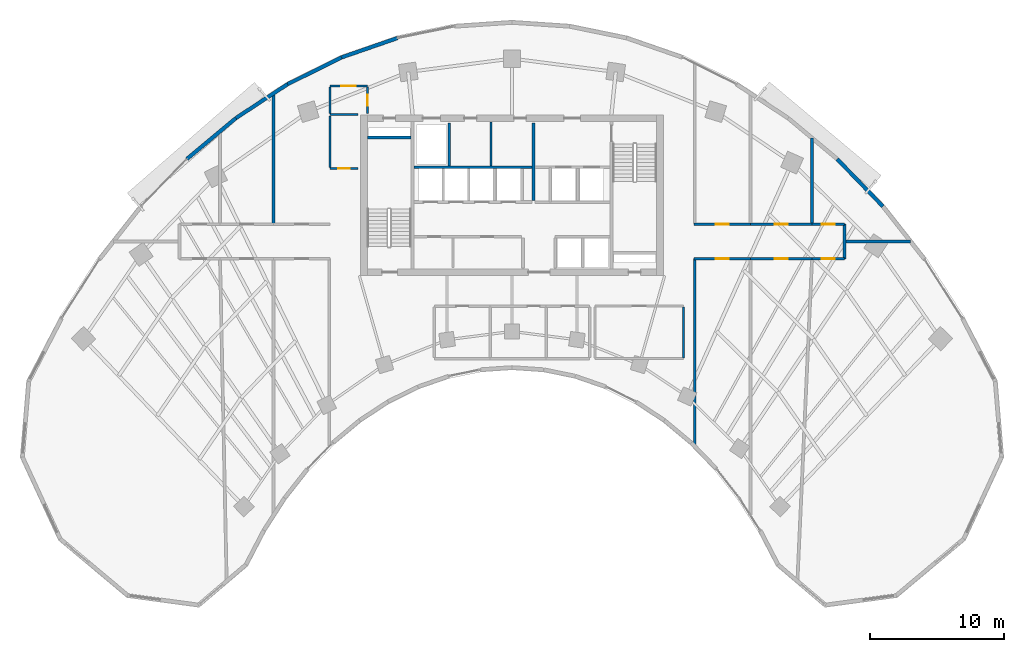
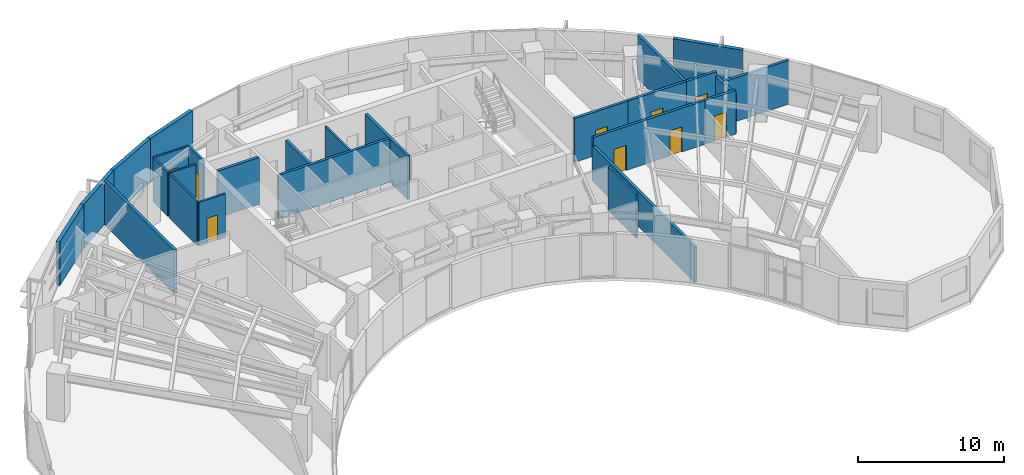
# One storey, part 10 of 14: 28 walls, 9 doors, 9 openings.
"""IFC4 building model written with IfcOpenShell, lengths in metres."""

from ifc_helpers import new_model, si_unit, direction, frame, frame_2d, origin, place, context, subcontext, project, spatial, rectangle, extrude, source, transform, mapped, material, layer, layer_set, type_object, type_shapes, element, fill, save


model = new_model("IFC4")

# Units and contexts
model_context = context("Model", 3, precision=1e-05, world=origin(), true_north=direction((0.0, 1.0)))
body_context = subcontext(model_context, "Body", "Model", "MODEL_VIEW")
ifc_project = project(units=[si_unit("LENGTHUNIT", "METRE"), si_unit("AREAUNIT", "SQUARE_METRE"), si_unit("VOLUMEUNIT", "CUBIC_METRE"), si_unit("PLANEANGLEUNIT", "RADIAN"), si_unit("MASSUNIT", "GRAM", prefix="KILO")], contexts=[model_context])

# Site, building, storey
site_placement = place(None, origin())
site = spatial("IfcSite", under=ifc_project, at=site_placement, CompositionType="ELEMENT")
building_placement = place(site_placement, origin())
building = spatial("IfcBuilding", under=site, at=building_placement, Name="Breltana Convention Tower", CompositionType="ELEMENT")
storey_placement = place(building_placement, frame((0.0, 0.0, 135.0)))
storey = spatial("IfcBuildingStorey", under=building, at=storey_placement, Name="L32", CompositionType="ELEMENT", Elevation=135.0)

# Walls
ifc_material_1 = material(Name="Concrete C50/60", Category="concrete")
ifc_layer_1 = layer(ifc_material_1, 0.39990234375, Name="Concrete C50/60")
ifc_layer_set_1 = layer_set([ifc_layer_1], Name="Concrete C50/60")
wall_type_1 = type_object("IfcWallType", Name="SW-CORE-400", PredefinedType="SHEAR", material=ifc_layer_set_1)
shared_shape_1 = source(origin(), body_context, "Body", "SweptSolid", [
    extrude(rectangle(XDim=3.27001953125, YDim=0.219970703125, at=frame_2d((1.635009765625, 0.0))), origin(), (0.0, 0.0, 1.0), 3.89990234375),
])
wall_1_placement = place(storey_placement, frame((37.199951171875, 70.510009765625, 0.0), z_axis=(0.0, 0.0, 1.0), x_axis=(1.0, 0.0, 0.0)))
element("IfcWall", 1, at=wall_1_placement, inside=storey, type_object=wall_type_1, Name="L32 ST-1 Stairwell North Bearing Wall", PredefinedType="SHEAR", context=body_context, shape_type="MappedRepresentation", body=[
    mapped(shared_shape_1, transform((0.0, 0.0, 0.0), scale=1.0)),
])
ifc_material_2 = material(Name="Limestone Buff Insulated Wall", Category="masonry")
ifc_layer_2 = layer(ifc_material_2, 0.280029296875, Name="Limestone Buff Insulated Wall")
ifc_layer_set_2 = layer_set([ifc_layer_2], Name="Limestone Buff Insulated Wall")
wall_type_2 = type_object("IfcWallType", Name="WL-EXT-NOSE-280", PredefinedType="SOLIDWALL", material=ifc_layer_set_2)
shared_shape_2 = source(origin(), body_context, "Body", "SweptSolid", [
    extrude(rectangle(XDim=4.908447265625, YDim=0.280029296875, at=frame_2d((2.4541015625, 0.0))), origin(), (0.0, 0.0, 1.0), 3.64990234375),
])
wall_2_placement = place(storey_placement, frame((72.275390625, 68.907470703125, 0.0), z_axis=(0.0, 0.0, 1.0), x_axis=(0.694613154328, -0.719383462302, 0.0)))
element("IfcWall", 2, at=wall_2_placement, inside=storey, type_object=wall_type_2, Name="L32 curved limestone nose wall E31", PredefinedType="SOLIDWALL", context=body_context, shape_type="MappedRepresentation", body=[
    mapped(shared_shape_2, transform((0.0, 0.0, 0.0), scale=1.0)),
])
shared_shape_3 = source(origin(), body_context, "Body", "SweptSolid", [
    extrude(rectangle(XDim=4.76220703125, YDim=0.280029296875, at=frame_2d((2.381103515625, 0.0))), origin(), (0.0, 0.0, 1.0), 3.64990234375),
])
wall_3_placement = place(storey_placement, frame((23.724609375, 68.907470703125, 0.0), z_axis=(0.0, 0.0, 1.0), x_axis=(0.767952279762, 0.640507061638, 0.0)))
element("IfcWall", 3, at=wall_3_placement, inside=storey, type_object=wall_type_2, Name="L32 curved limestone nose wall E21", PredefinedType="SOLIDWALL", context=body_context, shape_type="MappedRepresentation", body=[
    mapped(shared_shape_3, transform((0.0, 0.0, 0.0), scale=1.0)),
])
shared_shape_4 = source(origin(), body_context, "Body", "SweptSolid", [
    extrude(rectangle(XDim=4.625732421875, YDim=0.280029296875, at=frame_2d((2.31298828125, 0.0))), origin(), (0.0, 0.0, 1.0), 3.64990234375),
])
wall_4_placement = place(storey_placement, frame((27.3818359375, 71.957763671875, 0.0), z_axis=(0.0, 0.0, 1.0), x_axis=(0.83595938331, 0.548791316855, 0.0)))
element("IfcWall", 4, at=wall_4_placement, inside=storey, type_object=wall_type_2, Name="L32 curved limestone nose wall E22", PredefinedType="SOLIDWALL", context=body_context, shape_type="MappedRepresentation", body=[
    mapped(shared_shape_4, transform((0.0, 0.0, 0.0), scale=1.0)),
])
shared_shape_5 = source(origin(), body_context, "Body", "SweptSolid", [
    extrude(rectangle(XDim=4.408935546875, YDim=0.280029296875, at=frame_2d((2.20458984375, 0.0))), origin(), (0.0, 0.0, 1.0), 3.64990234375),
])
wall_5_placement = place(storey_placement, frame((35.28564453125, 76.497314453125, 0.0), z_axis=(0.0, 0.0, 1.0), x_axis=(0.944879374121, 0.327418643881, 0.0)))
element("IfcWall", 5, at=wall_5_placement, inside=storey, type_object=wall_type_2, Name="L32 curved limestone nose wall E24", PredefinedType="SOLIDWALL", context=body_context, shape_type="MappedRepresentation", body=[
    mapped(shared_shape_5, transform((0.0, 0.0, 0.0), scale=1.0)),
])
shared_shape_6 = source(origin(), body_context, "Body", "SweptSolid", [
    extrude(rectangle(XDim=4.505615234375, YDim=0.280029296875, at=frame_2d((2.2529296875, 0.0))), origin(), (0.0, 0.0, 1.0), 3.64990234375),
])
wall_6_placement = place(storey_placement, frame((31.248779296875, 74.496337890625, 0.0), z_axis=(0.0, 0.0, 1.0), x_axis=(0.89597155075, 0.444111450254, 0.0)))
element("IfcWall", 6, at=wall_6_placement, inside=storey, type_object=wall_type_2, Name="L32 curved limestone nose wall E23", PredefinedType="SOLIDWALL", context=body_context, shape_type="MappedRepresentation", body=[
    mapped(shared_shape_6, transform((0.0, 0.0, 0.0), scale=1.0)),
])
ifc_material_3 = material(Name="Autoclaved Aerated Concrete Block", Category="concrete")
ifc_layer_3 = layer(ifc_material_3, 0.199951171875, Name="Autoclaved Aerated Concrete Block")
ifc_layer_set_3 = layer_set([ifc_layer_3], Name="Autoclaved Aerated Concrete Block")
wall_type_3 = type_object("IfcWallType", Name="WL-SHAFT-200", PredefinedType="SOLIDWALL", material=ifc_layer_set_3)
shared_shape_7 = source(origin(), body_context, "Body", "SweptSolid", [
    extrude(rectangle(XDim=5.800048828125, YDim=0.199951171875, at=frame_2d((2.89990234375, 0.0))), origin(), (0.0, 0.0, 1.0), 3.64990234375),
])
wall_7_placement = place(storey_placement, frame((49.60009765625, 65.800048828125, 0.0), z_axis=(0.0, 0.0, 1.0), x_axis=(0.0, 1.0, 0.0)))
element("IfcWall", 7, at=wall_7_placement, inside=storey, type_object=wall_type_3, Name="L32 interior partition W-L32-FFL-W", PredefinedType="SOLIDWALL", context=body_context, shape_type="MappedRepresentation", body=[
    mapped(shared_shape_7, transform((0.0, 0.0, 0.0), scale=1.0)),
])
shared_shape_8 = source(origin(), body_context, "Body", "SweptSolid", [
    extrude(rectangle(XDim=3.2001953125, YDim=0.199951171875, at=frame_2d((1.60009765625, 0.0))), origin(), (0.0, 0.0, 1.0), 3.64990234375),
])
wall_8_placement = place(storey_placement, frame((43.320068359375, 68.39990234375, 0.0), z_axis=(0.0, 0.0, 1.0), x_axis=(0.0, 1.0, 0.0)))
element("IfcWall", 8, at=wall_8_placement, inside=storey, type_object=wall_type_3, Name="L32 interior partition W-L32-SV-E", PredefinedType="SOLIDWALL", context=body_context, shape_type="MappedRepresentation", body=[
    mapped(shared_shape_8, transform((0.0, 0.0, 0.0), scale=1.0)),
])
shared_shape_9 = source(origin(), body_context, "Body", "SweptSolid", [
    extrude(rectangle(XDim=8.800048828125, YDim=0.199951171875, at=frame_2d((4.39990234375, 0.0))), origin(), (0.0, 0.0, 1.0), 3.64990234375),
])
wall_9_placement = place(storey_placement, frame((40.699951171875, 68.300048828125, 0.0), z_axis=(0.0, 0.0, 1.0), x_axis=(1.0, 0.0, 0.0)))
element("IfcWall", 9, at=wall_9_placement, inside=storey, type_object=wall_type_3, Name="L32 interior partition W-L32-SV-S", PredefinedType="SOLIDWALL", context=body_context, shape_type="MappedRepresentation", body=[
    mapped(shared_shape_9, transform((0.0, 0.0, 0.0), scale=1.0)),
])
ifc_material_4 = material(Name="Gypsum Acoustic Drywall Partition")
ifc_layer_4 = layer(ifc_material_4, 0.14990234375, Name="Gypsum Acoustic Drywall Partition")
ifc_layer_set_4 = layer_set([ifc_layer_4], Name="Gypsum Acoustic Drywall Partition")
wall_type_4 = type_object("IfcWallType", Name="WL-PART-150", PredefinedType="PARTITIONING", material=ifc_layer_set_4)
shared_shape_10 = source(origin(), body_context, "Body", "SweptSolid", [
    extrude(rectangle(XDim=3.78515625, YDim=0.14990234375, at=frame_2d((1.892578125, 0.0))), origin(), (0.0, 0.0, 1.0), 3.64990234375),
])
wall_10_placement = place(storey_placement, frame((60.800048828125, 54.0673828125, 0.0), z_axis=(0.0, 0.0, 1.0), x_axis=(0.0, 1.0, 0.0)))
element("IfcWall", 10, at=wall_10_placement, inside=storey, type_object=wall_type_4, Name="L32 interior partition W-L32-PNT-E", PredefinedType="PARTITIONING", context=body_context, shape_type="MappedRepresentation", body=[
    mapped(shared_shape_10, transform((0.0, 0.0, 0.0), scale=1.0)),
])
shared_shape_11 = source(origin(), body_context, "Body", "SweptSolid", [
    extrude(rectangle(XDim=3.280029296875, YDim=0.14990234375, at=frame_2d((1.64013671875, 0.0))), origin(), (0.0, 0.0, 1.0), 3.64990234375),
])
wall_11_placement = place(storey_placement, frame((46.449951171875, 68.39990234375, 0.0), z_axis=(0.0, 0.0, 1.0), x_axis=(0.0, 1.0, 0.0)))
element("IfcWall", 11, at=wall_11_placement, inside=storey, type_object=wall_type_4, Name="L32 interior partition W-L32-KV-1", PredefinedType="PARTITIONING", context=body_context, shape_type="MappedRepresentation", body=[
    mapped(shared_shape_11, transform((0.0, 0.0, 0.0), scale=1.0)),
])
shared_shape_12 = source(origin(), body_context, "Body", "SweptSolid", [
    extrude(rectangle(XDim=2.10009765625, YDim=0.14990234375, at=frame_2d((1.050048828125, 0.0))), origin(), (0.0, 0.0, 1.0), 3.64990234375),
])
wall_12_placement = place(storey_placement, frame((34.39990234375, 72.219970703125, 0.0), z_axis=(0.0, 0.0, 1.0), x_axis=(1.0, 0.0, 0.0)))
element("IfcWall", 12, at=wall_12_placement, inside=storey, type_object=wall_type_4, Name="L32 interior partition W-L32-CRNW-S", PredefinedType="PARTITIONING", context=body_context, shape_type="MappedRepresentation", body=[
    mapped(shared_shape_12, transform((0.0, 0.0, 0.0), scale=1.0)),
])

# Wall, opening, door
wall_13_placement = place(storey_placement, frame((34.39990234375, 68.199951171875, 0.0), z_axis=(0.0, 0.0, 1.0), x_axis=(1.0, 0.0, 0.0)))
wall_13 = element("IfcWall", 13, at=wall_13_placement, inside=storey, type_object=wall_type_4, Name="L32 interior partition W-L32-CRSW-S", PredefinedType="PARTITIONING", context=body_context, shape_type="MappedRepresentation", body=[
    mapped(shared_shape_12, transform((0.0, 0.0, 0.0), scale=1.0)),
])
opening_1_placement = place(wall_13_placement, frame((0.625, 0.0, 0.0)))
opening_1 = element("IfcOpeningElement", 14, at=opening_1_placement, cuts=wall_13, Name="Opening D-20", PredefinedType="OPENING", context=body_context, shape_type="SweptSolid", body=[
    extrude(rectangle(XDim=0.85009765625, YDim=2.10009765625, at=frame_2d((0.425048828125, 1.050048828125))), frame((0.0, 0.0849609375, 0.0), z_axis=(0.0, -1.0, 0.0), x_axis=(1.0, 0.0, 0.0)), (0.0, 0.0, 1.0), 0.169921875),
])
ifc_material_5 = material(Name="Steel Closet Fire Door", Category="steel")
door_type_1 = type_object("IfcDoorType", Name="DR-FD60-850", OperationType="NOTDEFINED", PredefinedType="DOOR", material=ifc_material_5)
shared_shape_13 = source(origin(), body_context, "Body", "SweptSolid", [
    extrude(rectangle(XDim=0.85009765625, YDim=2.10009765625, at=frame_2d((0.425048828125, 1.050048828125))), frame((0.0, 0.02490234375, 0.0), z_axis=(0.0, -1.0, 0.0), x_axis=(1.0, 0.0, 0.0)), (0.0, 0.0, 1.0), 0.050048828125),
])
type_shapes(door_type_1, [shared_shape_13])
door_1_placement = place(opening_1_placement, origin())
door_1 = element("IfcDoor", 15, at=door_1_placement, inside=storey, type_object=door_type_1, Name="L32 interior door D-L32-CRSW", OperationType="SINGLE_SWING_LEFT", OverallHeight=2.10009765625, OverallWidth=0.85009765625, PredefinedType="DOOR", context=body_context, shape_type="MappedRepresentation", body=[
    mapped(shared_shape_13, transform((0.0, 0.0, 0.0), scale=1.0)),
])
fill(opening_1, door_1)

shared_shape_14 = source(origin(), body_context, "Body", "SweptSolid", [
    extrude(rectangle(XDim=2.800048828125, YDim=0.14990234375, at=frame_2d((1.39990234375, 0.0))), origin(), (0.0, 0.0, 1.0), 3.64990234375),
])
wall_14_placement = place(storey_placement, frame((34.39990234375, 74.35009765625, 0.0), z_axis=(0.0, 0.0, 1.0), x_axis=(1.0, 0.0, 0.0)))
wall_14 = element("IfcWall", 16, at=wall_14_placement, inside=storey, type_object=wall_type_4, Name="L32 interior partition W-L32-CRNW-N", PredefinedType="PARTITIONING", context=body_context, shape_type="MappedRepresentation", body=[
    mapped(shared_shape_14, transform((0.0, 0.0, 0.0), scale=1.0)),
])
opening_2_placement = place(wall_14_placement, frame((0.85009765625, 0.0, 0.0)))
opening_2 = element("IfcOpeningElement", 17, at=opening_2_placement, cuts=wall_14, Name="Opening D-12", PredefinedType="OPENING", context=body_context, shape_type="SweptSolid", body=[
    extrude(rectangle(XDim=1.10009765625, YDim=2.14990234375, at=frame_2d((0.550048828125, 1.074951171875))), frame((0.0, 0.0849609375, 0.0), z_axis=(0.0, -1.0, 0.0), x_axis=(1.0, 0.0, 0.0)), (0.0, 0.0, 1.0), 0.169921875),
])
ifc_material_6 = material(Name="Timber Oak Acoustic Door", Category="wood")
door_type_2 = type_object("IfcDoorType", Name="DR-INT-1100", OperationType="NOTDEFINED", PredefinedType="DOOR", material=ifc_material_6)
shared_shape_15 = source(origin(), body_context, "Body", "SweptSolid", [
    extrude(rectangle(XDim=1.10009765625, YDim=2.14990234375, at=frame_2d((0.550048828125, 1.074951171875))), frame((0.0, 0.02490234375, 0.0), z_axis=(0.0, -1.0, 0.0), x_axis=(1.0, 0.0, 0.0)), (0.0, 0.0, 1.0), 0.050048828125),
])
type_shapes(door_type_2, [shared_shape_15])
door_2_placement = place(opening_2_placement, origin())
door_2 = element("IfcDoor", 18, at=door_2_placement, inside=storey, type_object=door_type_2, Name="L32 interior door D-L32-ZN1", OperationType="SINGLE_SWING_RIGHT", OverallHeight=2.14990234375, OverallWidth=1.10009765625, PredefinedType="DOOR", context=body_context, shape_type="MappedRepresentation", body=[
    mapped(shared_shape_15, transform((0.0, 0.0, 0.0), scale=1.0)),
])
fill(opening_2, door_2)

# Wall
shared_shape_16 = source(origin(), body_context, "Body", "SweptSolid", [
    extrude(rectangle(XDim=1.994873046875, YDim=0.14990234375, at=frame_2d((0.99755859375, 0.0))), origin(), (0.0, 0.0, 1.0), 3.64990234375),
])
wall_15_placement = place(storey_placement, frame((34.39990234375, 72.28759765625, 0.0), z_axis=(0.0, 0.0, 1.0), x_axis=(0.0, 1.0, 0.0)))
element("IfcWall", 19, at=wall_15_placement, inside=storey, type_object=wall_type_4, Name="L32 interior partition W-L32-CRNW-W", PredefinedType="PARTITIONING", context=body_context, shape_type="MappedRepresentation", body=[
    mapped(shared_shape_16, transform((0.0, 0.0, 0.0), scale=1.0)),
])

# Wall, opening, door
shared_shape_17 = source(origin(), body_context, "Body", "SweptSolid", [
    extrude(rectangle(XDim=1.982421875, YDim=0.14990234375, at=frame_2d((0.9912109375, 0.0))), origin(), (0.0, 0.0, 1.0), 3.64990234375),
])
wall_16_placement = place(storey_placement, frame((37.199951171875, 72.300048828125, 0.0), z_axis=(0.0, 0.0, 1.0), x_axis=(0.0, 1.0, 0.0)))
wall_16 = element("IfcWall", 20, at=wall_16_placement, inside=storey, type_object=wall_type_4, Name="L32 interior partition W-L32-CRNW-E", PredefinedType="PARTITIONING", context=body_context, shape_type="MappedRepresentation", body=[
    mapped(shared_shape_17, transform((0.0, 0.0, 0.0), scale=1.0)),
])
opening_3_placement = place(wall_16_placement, frame((0.56640625, 0.0, 0.0)))
opening_3 = element("IfcOpeningElement", 21, at=opening_3_placement, cuts=wall_16, Name="Opening D-20", PredefinedType="OPENING", context=body_context, shape_type="SweptSolid", body=[
    extrude(rectangle(XDim=0.85009765625, YDim=2.10009765625, at=frame_2d((0.425048828125, 1.050048828125))), frame((0.0, 0.0849609375, 0.0), z_axis=(0.0, -1.0, 0.0), x_axis=(1.0, 0.0, 0.0)), (0.0, 0.0, 1.0), 0.169921875),
])
door_3_placement = place(opening_3_placement, origin())
door_3 = element("IfcDoor", 22, at=door_3_placement, inside=storey, type_object=door_type_1, Name="L32 interior door D-L32-CRNW", OperationType="SINGLE_SWING_RIGHT", OverallHeight=2.10009765625, OverallWidth=0.85009765625, PredefinedType="DOOR", context=body_context, shape_type="MappedRepresentation", body=[
    mapped(shared_shape_13, transform((0.0, 0.0, 0.0), scale=1.0)),
])
fill(opening_3, door_3)

# Walls
shared_shape_18 = source(origin(), body_context, "Body", "SweptSolid", [
    extrude(rectangle(XDim=3.844970703125, YDim=0.14990234375, at=frame_2d((1.92236328125, 0.0))), origin(), (0.0, 0.0, 1.0), 3.64990234375),
])
wall_17_placement = place(storey_placement, frame((34.39990234375, 68.267578125, 0.0), z_axis=(0.0, 0.0, 1.0), x_axis=(0.0, 1.0, 0.0)))
element("IfcWall", 23, at=wall_17_placement, inside=storey, type_object=wall_type_4, Name="L32 interior partition W-L32-CRSW-W", PredefinedType="PARTITIONING", context=body_context, shape_type="MappedRepresentation", body=[
    mapped(shared_shape_18, transform((0.0, 0.0, 0.0), scale=1.0)),
])
ifc_material_7 = material(Name="Autoclaved Aerated Masonry Blockwork", Category="masonry")
ifc_layer_5 = layer(ifc_material_7, 0.2099609375, Name="Autoclaved Aerated Masonry Blockwork")
ifc_layer_set_5 = layer_set([ifc_layer_5], Name="Autoclaved Aerated Masonry Blockwork")
wall_type_5 = type_object("IfcWallType", Name="WL-PART-200", PredefinedType="PARTITIONING", material=ifc_layer_set_5)
shared_shape_19 = source(origin(), body_context, "Body", "SweptSolid", [
    extrude(rectangle(XDim=9.73583984375, YDim=0.2099609375, at=frame_2d((4.867919921875, 0.0))), origin(), (0.0, 0.0, 1.0), 3.64990234375),
])
wall_18_placement = place(storey_placement, frame((30.199951171875, 64.06005859375, 0.0), z_axis=(0.0, 0.0, 1.0), x_axis=(0.0, 1.0, 0.0)))
element("IfcWall", 24, at=wall_18_placement, inside=storey, type_object=wall_type_5, Name="L32 interior partition W-L32-ZWN2-E", PredefinedType="PARTITIONING", context=body_context, shape_type="MappedRepresentation", body=[
    mapped(shared_shape_19, transform((0.0, 0.0, 0.0), scale=1.0)),
])

# Wall, opening, door
shared_shape_20 = source(origin(), body_context, "Body", "SweptSolid", [
    extrude(rectangle(XDim=4.199951171875, YDim=0.2099609375, at=frame_2d((2.10009765625, 0.0))), origin(), (0.0, 0.0, 1.0), 3.64990234375),
])
wall_19_placement = place(storey_placement, frame((61.60009765625, 64.0400390625, 0.0), z_axis=(0.0, 0.0, 1.0), x_axis=(1.0, 0.0, 0.0)))
wall_19 = element("IfcWall", 25, at=wall_19_placement, inside=storey, type_object=wall_type_5, Name="L32 interior partition W-L32-ZEN1-D", PredefinedType="PARTITIONING", context=body_context, shape_type="MappedRepresentation", body=[
    mapped(shared_shape_20, transform((0.0, 0.0, 0.0), scale=1.0)),
])
opening_4_placement = place(wall_19_placement, frame((1.625, 0.0, 0.0)))
opening_4 = element("IfcOpeningElement", 26, at=opening_4_placement, cuts=wall_19, Name="Opening D-17", PredefinedType="OPENING", context=body_context, shape_type="SweptSolid", body=[
    extrude(rectangle(XDim=0.949951171875, YDim=2.10009765625, at=frame_2d((0.47509765625, 1.050048828125))), frame((0.0, 0.114990234375, 0.0), z_axis=(0.0, -1.0, 0.0), x_axis=(1.0, 0.0, 0.0)), (0.0, 0.0, 1.0), 0.22998046875),
])
ifc_material_8 = material(Name="Timber Oak Veneer Door", Category="wood")
door_type_3 = type_object("IfcDoorType", Name="DR-INT-950", OperationType="NOTDEFINED", PredefinedType="DOOR", material=ifc_material_8)
shared_shape_21 = source(origin(), body_context, "Body", "SweptSolid", [
    extrude(rectangle(XDim=0.949951171875, YDim=2.10009765625, at=frame_2d((0.47509765625, 1.050048828125))), frame((0.0, 0.02490234375, 0.0), z_axis=(0.0, -1.0, 0.0), x_axis=(1.0, 0.0, 0.0)), (0.0, 0.0, 1.0), 0.050048828125),
])
type_shapes(door_type_3, [shared_shape_21])
door_4_placement = place(opening_4_placement, origin())
door_4 = element("IfcDoor", 27, at=door_4_placement, inside=storey, type_object=door_type_3, Name="L32 interior door D-L32-ZEN1", OperationType="SINGLE_SWING_LEFT", OverallHeight=2.10009765625, OverallWidth=0.949951171875, PredefinedType="DOOR", context=body_context, shape_type="MappedRepresentation", body=[
    mapped(shared_shape_21, transform((0.0, 0.0, 0.0), scale=1.0)),
])
fill(opening_4, door_4)

wall_20_placement = place(storey_placement, frame((61.60009765625, 61.4599609375, 0.0), z_axis=(0.0, 0.0, 1.0), x_axis=(1.0, 0.0, 0.0)))
wall_20 = element("IfcWall", 28, at=wall_20_placement, inside=storey, type_object=wall_type_5, Name="L32 interior partition W-L32-ZES1-D", PredefinedType="PARTITIONING", context=body_context, shape_type="MappedRepresentation", body=[
    mapped(shared_shape_20, transform((0.0, 0.0, 0.0), scale=1.0)),
])
opening_5_placement = place(wall_20_placement, frame((1.625, 0.0, 0.0)))
opening_5 = element("IfcOpeningElement", 29, at=opening_5_placement, cuts=wall_20, Name="Opening D-17", PredefinedType="OPENING", context=body_context, shape_type="SweptSolid", body=[
    extrude(rectangle(XDim=0.949951171875, YDim=2.10009765625, at=frame_2d((0.47509765625, 1.050048828125))), frame((0.0, 0.114990234375, 0.0), z_axis=(0.0, -1.0, 0.0), x_axis=(1.0, 0.0, 0.0)), (0.0, 0.0, 1.0), 0.22998046875),
])
door_5_placement = place(opening_5_placement, origin())
door_5 = element("IfcDoor", 30, at=door_5_placement, inside=storey, type_object=door_type_3, Name="L32 interior door D-L32-ZES1", OperationType="SINGLE_SWING_RIGHT", OverallHeight=2.10009765625, OverallWidth=0.949951171875, PredefinedType="DOOR", context=body_context, shape_type="MappedRepresentation", body=[
    mapped(shared_shape_21, transform((0.0, 0.0, 0.0), scale=1.0)),
])
fill(opening_5, door_5)

shared_shape_22 = source(origin(), body_context, "Body", "SweptSolid", [
    extrude(rectangle(XDim=4.599853515625, YDim=0.2099609375, at=frame_2d((2.2998046875, 0.0))), origin(), (0.0, 0.0, 1.0), 3.64990234375),
])
wall_21_placement = place(storey_placement, frame((65.800048828125, 64.0400390625, 0.0), z_axis=(0.0, 0.0, 1.0), x_axis=(1.0, 0.0, 0.0)))
wall_21 = element("IfcWall", 31, at=wall_21_placement, inside=storey, type_object=wall_type_5, Name="L32 interior partition W-L32-ZEN2-D", PredefinedType="PARTITIONING", context=body_context, shape_type="MappedRepresentation", body=[
    mapped(shared_shape_22, transform((0.0, 0.0, 0.0), scale=1.0)),
])
opening_6_placement = place(wall_21_placement, frame((1.824951171875, 0.0, 0.0)))
opening_6 = element("IfcOpeningElement", 32, at=opening_6_placement, cuts=wall_21, Name="Opening D-17", PredefinedType="OPENING", context=body_context, shape_type="SweptSolid", body=[
    extrude(rectangle(XDim=0.949951171875, YDim=2.10009765625, at=frame_2d((0.47509765625, 1.050048828125))), frame((0.0, 0.114990234375, 0.0), z_axis=(0.0, -1.0, 0.0), x_axis=(1.0, 0.0, 0.0)), (0.0, 0.0, 1.0), 0.22998046875),
])
door_6_placement = place(opening_6_placement, origin())
door_6 = element("IfcDoor", 33, at=door_6_placement, inside=storey, type_object=door_type_3, Name="L32 interior door D-L32-ZEN2", OperationType="SINGLE_SWING_RIGHT", OverallHeight=2.10009765625, OverallWidth=0.949951171875, PredefinedType="DOOR", context=body_context, shape_type="MappedRepresentation", body=[
    mapped(shared_shape_21, transform((0.0, 0.0, 0.0), scale=1.0)),
])
fill(opening_6, door_6)

wall_22_placement = place(storey_placement, frame((65.800048828125, 61.4599609375, 0.0), z_axis=(0.0, 0.0, 1.0), x_axis=(1.0, 0.0, 0.0)))
wall_22 = element("IfcWall", 34, at=wall_22_placement, inside=storey, type_object=wall_type_5, Name="L32 interior partition W-L32-ZES2-D", PredefinedType="PARTITIONING", context=body_context, shape_type="MappedRepresentation", body=[
    mapped(shared_shape_22, transform((0.0, 0.0, 0.0), scale=1.0)),
])
opening_7_placement = place(wall_22_placement, frame((1.824951171875, 0.0, 0.0)))
opening_7 = element("IfcOpeningElement", 35, at=opening_7_placement, cuts=wall_22, Name="Opening D-17", PredefinedType="OPENING", context=body_context, shape_type="SweptSolid", body=[
    extrude(rectangle(XDim=0.949951171875, YDim=2.10009765625, at=frame_2d((0.47509765625, 1.050048828125))), frame((0.0, 0.114990234375, 0.0), z_axis=(0.0, -1.0, 0.0), x_axis=(1.0, 0.0, 0.0)), (0.0, 0.0, 1.0), 0.22998046875),
])
door_7_placement = place(opening_7_placement, origin())
door_7 = element("IfcDoor", 36, at=door_7_placement, inside=storey, type_object=door_type_3, Name="L32 interior door D-L32-ZES2", OperationType="SINGLE_SWING_LEFT", OverallHeight=2.10009765625, OverallWidth=0.949951171875, PredefinedType="DOOR", context=body_context, shape_type="MappedRepresentation", body=[
    mapped(shared_shape_21, transform((0.0, 0.0, 0.0), scale=1.0)),
])
fill(opening_7, door_7)

# Wall
shared_shape_23 = source(origin(), body_context, "Body", "SweptSolid", [
    extrude(rectangle(XDim=6.3984375, YDim=0.2099609375, at=frame_2d((3.19921875, 0.0))), origin(), (0.0, 0.0, 1.0), 3.64990234375),
])
wall_23_placement = place(storey_placement, frame((70.39990234375, 64.06005859375, 0.0), z_axis=(0.0, 0.0, 1.0), x_axis=(0.0, 1.0, 0.0)))
element("IfcWall", 37, at=wall_23_placement, inside=storey, type_object=wall_type_5, Name="L32 interior partition W-L32-ZEN2-E", PredefinedType="PARTITIONING", context=body_context, shape_type="MappedRepresentation", body=[
    mapped(shared_shape_23, transform((0.0, 0.0, 0.0), scale=1.0)),
])

# Wall, opening, door
shared_shape_24 = source(origin(), body_context, "Body", "SweptSolid", [
    extrude(rectangle(XDim=2.420166015625, YDim=0.2099609375, at=frame_2d((1.2099609375, 0.0))), origin(), (0.0, 0.0, 1.0), 3.64990234375),
])
wall_24_placement = place(storey_placement, frame((70.39990234375, 64.0400390625, 0.0), z_axis=(0.0, 0.0, 1.0), x_axis=(1.0, 0.0, 0.0)))
wall_24 = element("IfcWall", 38, at=wall_24_placement, inside=storey, type_object=wall_type_5, Name="L32 interior partition W-L32-ZEN3-D", PredefinedType="PARTITIONING", context=body_context, shape_type="MappedRepresentation", body=[
    mapped(shared_shape_24, transform((0.0, 0.0, 0.0), scale=1.0)),
])
opening_8_placement = place(wall_24_placement, frame((0.735107421875, 0.0, 0.0)))
opening_8 = element("IfcOpeningElement", 39, at=opening_8_placement, cuts=wall_24, Name="Opening D-17", PredefinedType="OPENING", context=body_context, shape_type="SweptSolid", body=[
    extrude(rectangle(XDim=0.949951171875, YDim=2.10009765625, at=frame_2d((0.47509765625, 1.050048828125))), frame((0.0, 0.114990234375, 0.0), z_axis=(0.0, -1.0, 0.0), x_axis=(1.0, 0.0, 0.0)), (0.0, 0.0, 1.0), 0.22998046875),
])
door_8_placement = place(opening_8_placement, origin())
door_8 = element("IfcDoor", 40, at=door_8_placement, inside=storey, type_object=door_type_3, Name="L32 interior door D-L32-ZEN3", OperationType="SINGLE_SWING_LEFT", OverallHeight=2.10009765625, OverallWidth=0.949951171875, PredefinedType="DOOR", context=body_context, shape_type="MappedRepresentation", body=[
    mapped(shared_shape_21, transform((0.0, 0.0, 0.0), scale=1.0)),
])
fill(opening_8, door_8)

wall_25_placement = place(storey_placement, frame((70.39990234375, 61.4599609375, 0.0), z_axis=(0.0, 0.0, 1.0), x_axis=(1.0, 0.0, 0.0)))
wall_25 = element("IfcWall", 41, at=wall_25_placement, inside=storey, type_object=wall_type_5, Name="L32 interior partition W-L32-ZES3-D", PredefinedType="PARTITIONING", context=body_context, shape_type="MappedRepresentation", body=[
    mapped(shared_shape_24, transform((0.0, 0.0, 0.0), scale=1.0)),
])
opening_9_placement = place(wall_25_placement, frame((0.735107421875, 0.0, 0.0)))
opening_9 = element("IfcOpeningElement", 42, at=opening_9_placement, cuts=wall_25, Name="Opening D-17", PredefinedType="OPENING", context=body_context, shape_type="SweptSolid", body=[
    extrude(rectangle(XDim=0.949951171875, YDim=2.10009765625, at=frame_2d((0.47509765625, 1.050048828125))), frame((0.0, 0.114990234375, 0.0), z_axis=(0.0, -1.0, 0.0), x_axis=(1.0, 0.0, 0.0)), (0.0, 0.0, 1.0), 0.22998046875),
])
door_9_placement = place(opening_9_placement, origin())
door_9 = element("IfcDoor", 43, at=door_9_placement, inside=storey, type_object=door_type_3, Name="L32 interior door D-L32-ZES3", OperationType="SINGLE_SWING_RIGHT", OverallHeight=2.10009765625, OverallWidth=0.949951171875, PredefinedType="DOOR", context=body_context, shape_type="MappedRepresentation", body=[
    mapped(shared_shape_21, transform((0.0, 0.0, 0.0), scale=1.0)),
])
fill(opening_9, door_9)

# Walls
shared_shape_25 = source(origin(), body_context, "Body", "SweptSolid", [
    extrude(rectangle(XDim=13.987548828125, YDim=0.2099609375, at=frame_2d((6.99365234375, 0.0))), origin(), (0.0, 0.0, 1.0), 2.94189453125),
])
wall_26_placement = place(storey_placement, frame((61.639892578125, 47.472412109375, 0.0), z_axis=(0.0, 0.0, 1.0), x_axis=(0.0, 1.0, 0.0)))
element("IfcWall", 44, at=wall_26_placement, inside=storey, type_object=wall_type_5, Name="L32 interior partition W-L32-ZODD-EC", PredefinedType="PARTITIONING", context=body_context, shape_type="MappedRepresentation", body=[
    mapped(shared_shape_25, transform((0.0, 0.0, 0.0), scale=1.0)),
])
shared_shape_26 = source(origin(), body_context, "Body", "SweptSolid", [
    extrude(rectangle(XDim=4.91748046875, YDim=0.2099609375, at=frame_2d((2.458740234375, 0.0))), origin(), (0.0, 0.0, 1.0), 3.64990234375),
])
wall_27_placement = place(storey_placement, frame((72.820068359375, 62.75, 0.0), z_axis=(0.0, 0.0, 1.0), x_axis=(1.0, 0.0, 0.0)))
element("IfcWall", 45, at=wall_27_placement, inside=storey, type_object=wall_type_5, Name="L32 interior partition W-L32-ZFE-EXT", PredefinedType="PARTITIONING", context=body_context, shape_type="MappedRepresentation", body=[
    mapped(shared_shape_26, transform((0.0, 0.0, 0.0), scale=1.0)),
])
shared_shape_27 = source(origin(), body_context, "Body", "SweptSolid", [
    extrude(rectangle(XDim=2.6201171875, YDim=0.2099609375, at=frame_2d((1.31005859375, 0.0))), origin(), (0.0, 0.0, 1.0), 3.280029296875),
])
wall_28_placement = place(storey_placement, frame((72.820068359375, 61.43994140625, 0.0), z_axis=(0.0, 0.0, 1.0), x_axis=(0.0, 1.0, 0.0)))
element("IfcWall", 46, at=wall_28_placement, inside=storey, type_object=wall_type_5, Name="L32 interior partition W-L32-ZFE-CAP", PredefinedType="PARTITIONING", context=body_context, shape_type="MappedRepresentation", body=[
    mapped(shared_shape_27, transform((0.0, 0.0, 0.0), scale=1.0)),
])

save(model, "model.ifc")
